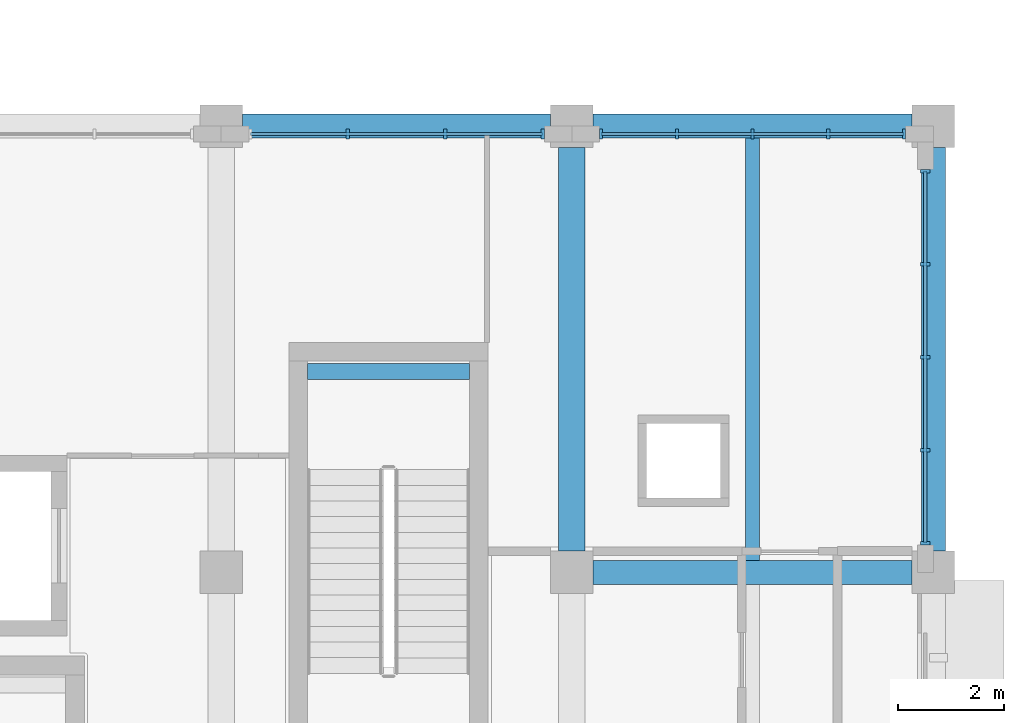
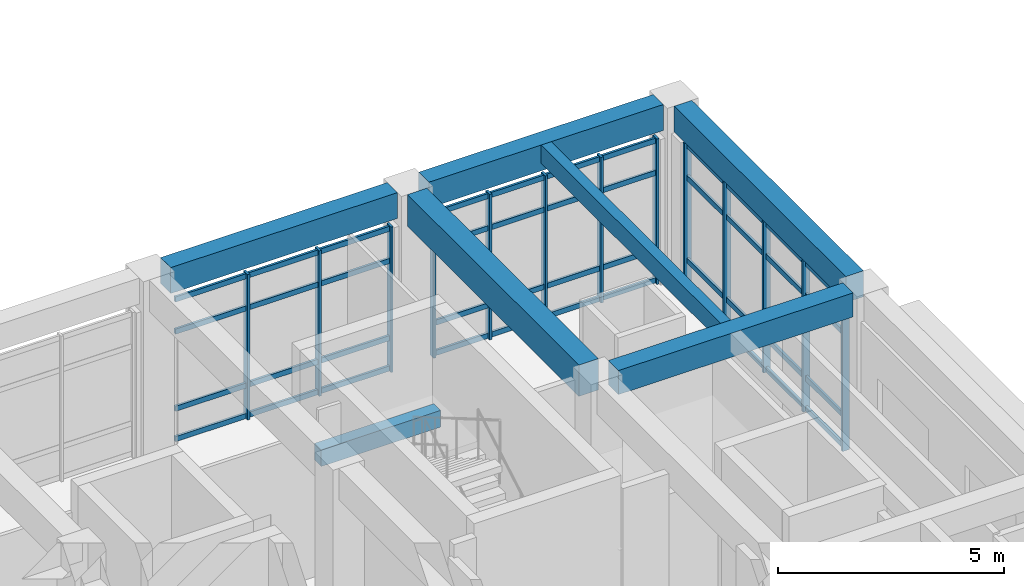
# One storey, part 31 of 79: 25 members, 7 beams, 3 elements without a shape of their own.
"""IFC4 building model written with IfcOpenShell, lengths in metres."""

from ifc_helpers import new_model, si_unit, direction, frame, origin, origin_2d, place, context, subcontext, project, spatial, rectangle, extrude, material, layer, layer_set, material_profile, profile_set, type_object, element, aggregate, save


model = new_model("IFC4")

# Units and contexts
model_context = context("Model", 3, precision=1e-05, world=origin(), true_north=direction((0.0, 1.0)))
body_context = subcontext(model_context, "Body", "Model", "MODEL_VIEW")
ifc_project = project(units=[si_unit("LENGTHUNIT", "METRE"), si_unit("AREAUNIT", "SQUARE_METRE"), si_unit("VOLUMEUNIT", "CUBIC_METRE"), si_unit("PLANEANGLEUNIT", "RADIAN"), si_unit("MASSUNIT", "GRAM", prefix="KILO")], contexts=[model_context])

# Site, building, storey
site_placement = place(None, origin())
site = spatial("IfcSite", under=ifc_project, at=site_placement, CompositionType="ELEMENT")
building_placement = place(site_placement, origin())
building = spatial("IfcBuilding", under=site, at=building_placement, Name="Kolvaren Faculty of Natural Sciences", CompositionType="ELEMENT")
storey_placement = place(building_placement, frame((0.0, 0.0, 10.199951171875)))
storey = spatial("IfcBuildingStorey", under=building, at=storey_placement, Name="L02", CompositionType="ELEMENT", Elevation=10.199951171875)

# Beam
ifc_material_1 = material(Name="Concrete C40/50", Category="concrete")
ifc_material_profile_1 = material_profile(ifc_material_1, rectangle(XDim=0.300048828125, YDim=0.449951171875, at=origin_2d()), Name="RC LNT 300x450")
ifc_profile_set_1 = profile_set([ifc_material_profile_1], Name="Concrete C40/50")
beam_type_1 = type_object("IfcBeamType", Name="CoreCouplingLintel_300x450", PredefinedType="LINTEL", material=ifc_profile_set_1)
beam_1_placement = place(storey_placement, frame((160.22509765625, 79.580078125, 1.97509765625), z_axis=(1.0, 0.0, 0.0), x_axis=(0.0, 1.0, 0.0)))
element("IfcBeam", 1, at=beam_1_placement, inside=storey, type_object=beam_type_1, Name="L02 ST-1 half-landing support lintel", PredefinedType="LINTEL", context=body_context, shape_type="SweptSolid", body=[
    extrude(rectangle(XDim=0.300048828125, YDim=0.449951171875, at=origin_2d()), origin(), (0.0, 0.0, 1.0), 3.0498046875),
])

# Curtain wall, members
ifc_material_2 = material(Name="Thermally broken anodised aluminium framing", Category="aluminium")
ifc_layer = layer(ifc_material_2, 0.179931640625)
ifc_layer_set = layer_set([ifc_layer], Name="Thermally broken anodised aluminium framing")
curtain_wall_type = type_object("IfcCurtainWallType", Name="TowerNorthCurtainWall_CW03", PredefinedType="NOTDEFINED", material=ifc_layer_set)
curtain_wall_1_placement = place(storey_placement, origin())
curtain_wall_1 = element("IfcCurtainWall", 2, at=curtain_wall_1_placement, inside=storey, type_object=curtain_wall_type, Name="L02 unitised curtain wall CW-03 (CW-L02-100)", PredefinedType="NOTDEFINED")
ifc_material_profile_2 = material_profile(ifc_material_2, rectangle(XDim=0.06005859375, YDim=0.179931640625, at=origin_2d()), Name="ALU MUL 60x180")
ifc_profile_set_2 = profile_set([ifc_material_profile_2], Name="Thermally broken anodised aluminium framing")
member_type_1 = type_object("IfcMemberType", Name="CurtainMullion_60x180", PredefinedType="MULLION", material=ifc_profile_set_2)
member_1_placement = place(storey_placement, frame((160.9833984375, 84.050048828125, 0.0), z_axis=(0.0, 0.0, 1.0), x_axis=(1.0, 0.0, 0.0)))
member_1 = element("IfcMember", 3, at=member_1_placement, type_object=member_type_1, Name="CW-L02-100 vertical mullion 2", PredefinedType="MULLION", context=body_context, shape_type="SweptSolid", body=[
    extrude(rectangle(XDim=0.06005859375, YDim=0.179931640625, at=origin_2d()), origin(), (0.0, 0.0, 1.0), 3.93505859375),
])
member_2_placement = place(storey_placement, frame((162.816650390625, 84.050048828125, 0.0), z_axis=(0.0, 0.0, 1.0), x_axis=(1.0, 0.0, 0.0)))
member_2 = element("IfcMember", 4, at=member_2_placement, type_object=member_type_1, Name="CW-L02-100 vertical mullion 3", PredefinedType="MULLION", context=body_context, shape_type="SweptSolid", body=[
    extrude(rectangle(XDim=0.06005859375, YDim=0.179931640625, at=origin_2d()), origin(), (0.0, 0.0, 1.0), 3.93505859375),
])
member_3_placement = place(storey_placement, frame((164.64990234375, 84.050048828125, 0.0), z_axis=(0.0, 0.0, 1.0), x_axis=(1.0, 0.0, 0.0)))
member_3 = element("IfcMember", 5, at=member_3_placement, type_object=member_type_1, Name="CW-L02-100 vertical mullion 4", PredefinedType="MULLION", context=body_context, shape_type="SweptSolid", body=[
    extrude(rectangle(XDim=0.06005859375, YDim=0.179931640625, at=origin_2d()), origin(), (0.0, 0.0, 1.0), 3.93505859375),
])

curtain_wall_2_placement = place(storey_placement, origin())
curtain_wall_2 = element("IfcCurtainWall", 6, at=curtain_wall_2_placement, inside=storey, type_object=curtain_wall_type, Name="L02 unitised curtain wall CW-03 (CW-L02-101)", PredefinedType="NOTDEFINED")
member_4_placement = place(storey_placement, frame((165.75, 84.050048828125, 0.0), z_axis=(0.0, 0.0, 1.0), x_axis=(1.0, 0.0, 0.0)))
member_4 = element("IfcMember", 7, at=member_4_placement, type_object=member_type_1, Name="CW-L02-101 vertical mullion 1", PredefinedType="MULLION", context=body_context, shape_type="SweptSolid", body=[
    extrude(rectangle(XDim=0.06005859375, YDim=0.179931640625, at=origin_2d()), origin(), (0.0, 0.0, 1.0), 3.93505859375),
])
member_5_placement = place(storey_placement, frame((167.175048828125, 84.050048828125, 0.0), z_axis=(0.0, 0.0, 1.0), x_axis=(1.0, 0.0, 0.0)))
member_5 = element("IfcMember", 8, at=member_5_placement, type_object=member_type_1, Name="CW-L02-101 vertical mullion 2", PredefinedType="MULLION", context=body_context, shape_type="SweptSolid", body=[
    extrude(rectangle(XDim=0.06005859375, YDim=0.179931640625, at=origin_2d()), origin(), (0.0, 0.0, 1.0), 3.93505859375),
])
member_6_placement = place(storey_placement, frame((168.60009765625, 84.050048828125, 0.0), z_axis=(0.0, 0.0, 1.0), x_axis=(1.0, 0.0, 0.0)))
member_6 = element("IfcMember", 9, at=member_6_placement, type_object=member_type_1, Name="CW-L02-101 vertical mullion 3", PredefinedType="MULLION", context=body_context, shape_type="SweptSolid", body=[
    extrude(rectangle(XDim=0.06005859375, YDim=0.179931640625, at=origin_2d()), origin(), (0.0, 0.0, 1.0), 3.93505859375),
])
member_7_placement = place(storey_placement, frame((170.02490234375, 84.050048828125, 0.0), z_axis=(0.0, 0.0, 1.0), x_axis=(1.0, 0.0, 0.0)))
member_7 = element("IfcMember", 10, at=member_7_placement, type_object=member_type_1, Name="CW-L02-101 vertical mullion 4", PredefinedType="MULLION", context=body_context, shape_type="SweptSolid", body=[
    extrude(rectangle(XDim=0.06005859375, YDim=0.179931640625, at=origin_2d()), origin(), (0.0, 0.0, 1.0), 3.93505859375),
])
member_8_placement = place(storey_placement, frame((171.449951171875, 84.050048828125, 0.0), z_axis=(0.0, 0.0, 1.0), x_axis=(1.0, 0.0, 0.0)))
member_8 = element("IfcMember", 11, at=member_8_placement, type_object=member_type_1, Name="CW-L02-101 vertical mullion 5", PredefinedType="MULLION", context=body_context, shape_type="SweptSolid", body=[
    extrude(rectangle(XDim=0.06005859375, YDim=0.179931640625, at=origin_2d()), origin(), (0.0, 0.0, 1.0), 3.93505859375),
])

curtain_wall_3_placement = place(storey_placement, origin())
curtain_wall_3 = element("IfcCurtainWall", 12, at=curtain_wall_3_placement, inside=storey, type_object=curtain_wall_type, Name="L02 unitised curtain wall CW-03 (CW-L02-102)", PredefinedType="NOTDEFINED")
member_9_placement = place(storey_placement, frame((171.85009765625, 83.35009765625, 0.0), z_axis=(0.0, 0.0, 1.0), x_axis=(0.0, -1.0, 0.0)))
member_9 = element("IfcMember", 13, at=member_9_placement, type_object=member_type_1, Name="CW-L02-102 vertical mullion 1", PredefinedType="MULLION", context=body_context, shape_type="SweptSolid", body=[
    extrude(rectangle(XDim=0.06005859375, YDim=0.179931640625, at=origin_2d()), origin(), (0.0, 0.0, 1.0), 4.0849609375),
])
member_10_placement = place(storey_placement, frame((171.85009765625, 81.60009765625, 0.0), z_axis=(0.0, 0.0, 1.0), x_axis=(0.0, -1.0, 0.0)))
member_10 = element("IfcMember", 14, at=member_10_placement, type_object=member_type_1, Name="CW-L02-102 vertical mullion 2", PredefinedType="MULLION", context=body_context, shape_type="SweptSolid", body=[
    extrude(rectangle(XDim=0.06005859375, YDim=0.179931640625, at=origin_2d()), origin(), (0.0, 0.0, 1.0), 4.0849609375),
])
member_11_placement = place(storey_placement, frame((171.85009765625, 79.85009765625, 0.0), z_axis=(0.0, 0.0, 1.0), x_axis=(0.0, -1.0, 0.0)))
member_11 = element("IfcMember", 15, at=member_11_placement, type_object=member_type_1, Name="CW-L02-102 vertical mullion 3", PredefinedType="MULLION", context=body_context, shape_type="SweptSolid", body=[
    extrude(rectangle(XDim=0.06005859375, YDim=0.179931640625, at=origin_2d()), origin(), (0.0, 0.0, 1.0), 4.0849609375),
])
member_12_placement = place(storey_placement, frame((171.85009765625, 78.10009765625, 0.0), z_axis=(0.0, 0.0, 1.0), x_axis=(0.0, -1.0, 0.0)))
member_12 = element("IfcMember", 16, at=member_12_placement, type_object=member_type_1, Name="CW-L02-102 vertical mullion 4", PredefinedType="MULLION", context=body_context, shape_type="SweptSolid", body=[
    extrude(rectangle(XDim=0.06005859375, YDim=0.179931640625, at=origin_2d()), origin(), (0.0, 0.0, 1.0), 4.0849609375),
])
member_13_placement = place(storey_placement, frame((171.85009765625, 76.35009765625, 0.0), z_axis=(0.0, 0.0, 1.0), x_axis=(0.0, -1.0, 0.0)))
member_13 = element("IfcMember", 17, at=member_13_placement, type_object=member_type_1, Name="CW-L02-102 vertical mullion 5", PredefinedType="MULLION", context=body_context, shape_type="SweptSolid", body=[
    extrude(rectangle(XDim=0.06005859375, YDim=0.179931640625, at=origin_2d()), origin(), (0.0, 0.0, 1.0), 4.0849609375),
])

# Member
ifc_material_profile_3 = material_profile(ifc_material_2, rectangle(XDim=0.06005859375, YDim=0.139892578125, at=origin_2d()), Name="ALU TRN 60x140")
ifc_profile_set_3 = profile_set([ifc_material_profile_3], Name="Thermally broken anodised aluminium framing")
member_type_2 = type_object("IfcMemberType", Name="CurtainTransom_60x140", PredefinedType="USERDEFINED", material=ifc_profile_set_3)
member_14_placement = place(storey_placement, frame((159.14990234375, 84.050048828125, 0.080078125), z_axis=(1.0, 0.0, 0.0), x_axis=(0.0, 1.0, 0.0)))
member_14 = element("IfcMember", 18, at=member_14_placement, type_object=member_type_2, Name="CW-L02-100 horizontal transom 1", ObjectType="TRANSOM", PredefinedType="USERDEFINED", context=body_context, shape_type="SweptSolid", body=[
    extrude(rectangle(XDim=0.06005859375, YDim=0.139892578125, at=origin_2d()), origin(), (0.0, 0.0, 1.0), 5.5),
])

member_15_placement = place(storey_placement, frame((159.14990234375, 84.050048828125, 0.900146484375), z_axis=(1.0, 0.0, 0.0), x_axis=(0.0, 1.0, 0.0)))
member_15 = element("IfcMember", 19, at=member_15_placement, type_object=member_type_2, Name="CW-L02-100 horizontal transom 2", ObjectType="TRANSOM", PredefinedType="USERDEFINED", context=body_context, shape_type="SweptSolid", body=[
    extrude(rectangle(XDim=0.06005859375, YDim=0.139892578125, at=origin_2d()), origin(), (0.0, 0.0, 1.0), 5.5),
])

member_16_placement = place(storey_placement, frame((159.14990234375, 84.050048828125, 2.985107421875), z_axis=(1.0, 0.0, 0.0), x_axis=(0.0, 1.0, 0.0)))
member_16 = element("IfcMember", 20, at=member_16_placement, type_object=member_type_2, Name="CW-L02-100 horizontal transom 3", ObjectType="TRANSOM", PredefinedType="USERDEFINED", context=body_context, shape_type="SweptSolid", body=[
    extrude(rectangle(XDim=0.06005859375, YDim=0.139892578125, at=origin_2d()), origin(), (0.0, 0.0, 1.0), 5.5),
])

member_17_placement = place(storey_placement, frame((159.14990234375, 84.050048828125, 3.85498046875), z_axis=(1.0, 0.0, 0.0), x_axis=(0.0, 1.0, 0.0)))
member_17 = element("IfcMember", 21, at=member_17_placement, type_object=member_type_2, Name="CW-L02-100 horizontal transom 4", ObjectType="TRANSOM", PredefinedType="USERDEFINED", context=body_context, shape_type="SweptSolid", body=[
    extrude(rectangle(XDim=0.06005859375, YDim=0.139892578125, at=origin_2d()), origin(), (0.0, 0.0, 1.0), 5.5),
])

aggregate(curtain_wall_1, [member_1, member_2, member_3, member_14, member_15, member_16, member_17])

member_18_placement = place(storey_placement, frame((165.75, 84.050048828125, 0.080078125), z_axis=(1.0, 0.0, 0.0), x_axis=(0.0, 1.0, 0.0)))
member_18 = element("IfcMember", 22, at=member_18_placement, type_object=member_type_2, Name="CW-L02-101 horizontal transom 1", ObjectType="TRANSOM", PredefinedType="USERDEFINED", context=body_context, shape_type="SweptSolid", body=[
    extrude(rectangle(XDim=0.06005859375, YDim=0.139892578125, at=origin_2d()), origin(), (0.0, 0.0, 1.0), 5.699951171875),
])

member_19_placement = place(storey_placement, frame((165.75, 84.050048828125, 0.900146484375), z_axis=(1.0, 0.0, 0.0), x_axis=(0.0, 1.0, 0.0)))
member_19 = element("IfcMember", 23, at=member_19_placement, type_object=member_type_2, Name="CW-L02-101 horizontal transom 2", ObjectType="TRANSOM", PredefinedType="USERDEFINED", context=body_context, shape_type="SweptSolid", body=[
    extrude(rectangle(XDim=0.06005859375, YDim=0.139892578125, at=origin_2d()), origin(), (0.0, 0.0, 1.0), 5.699951171875),
])

member_20_placement = place(storey_placement, frame((165.75, 84.050048828125, 2.985107421875), z_axis=(1.0, 0.0, 0.0), x_axis=(0.0, 1.0, 0.0)))
member_20 = element("IfcMember", 24, at=member_20_placement, type_object=member_type_2, Name="CW-L02-101 horizontal transom 3", ObjectType="TRANSOM", PredefinedType="USERDEFINED", context=body_context, shape_type="SweptSolid", body=[
    extrude(rectangle(XDim=0.06005859375, YDim=0.139892578125, at=origin_2d()), origin(), (0.0, 0.0, 1.0), 5.699951171875),
])

member_21_placement = place(storey_placement, frame((165.75, 84.050048828125, 3.85498046875), z_axis=(1.0, 0.0, 0.0), x_axis=(0.0, 1.0, 0.0)))
member_21 = element("IfcMember", 25, at=member_21_placement, type_object=member_type_2, Name="CW-L02-101 horizontal transom 4", ObjectType="TRANSOM", PredefinedType="USERDEFINED", context=body_context, shape_type="SweptSolid", body=[
    extrude(rectangle(XDim=0.06005859375, YDim=0.139892578125, at=origin_2d()), origin(), (0.0, 0.0, 1.0), 5.699951171875),
])

aggregate(curtain_wall_2, [member_4, member_5, member_6, member_7, member_8, member_18, member_19, member_20, member_21])

member_22_placement = place(storey_placement, frame((171.85009765625, 83.35009765625, 0.080078125), z_axis=(0.0, -1.0, 0.0), x_axis=(1.0, 0.0, 0.0)))
member_22 = element("IfcMember", 26, at=member_22_placement, type_object=member_type_2, Name="CW-L02-102 horizontal transom 1", ObjectType="TRANSOM", PredefinedType="USERDEFINED", context=body_context, shape_type="SweptSolid", body=[
    extrude(rectangle(XDim=0.06005859375, YDim=0.139892578125, at=origin_2d()), origin(), (0.0, 0.0, 1.0), 7.0),
])

member_23_placement = place(storey_placement, frame((171.85009765625, 83.35009765625, 0.900146484375), z_axis=(0.0, -1.0, 0.0), x_axis=(1.0, 0.0, 0.0)))
member_23 = element("IfcMember", 27, at=member_23_placement, type_object=member_type_2, Name="CW-L02-102 horizontal transom 2", ObjectType="TRANSOM", PredefinedType="USERDEFINED", context=body_context, shape_type="SweptSolid", body=[
    extrude(rectangle(XDim=0.06005859375, YDim=0.139892578125, at=origin_2d()), origin(), (0.0, 0.0, 1.0), 7.0),
])

member_24_placement = place(storey_placement, frame((171.85009765625, 83.35009765625, 3.135009765625), z_axis=(0.0, -1.0, 0.0), x_axis=(1.0, 0.0, 0.0)))
member_24 = element("IfcMember", 28, at=member_24_placement, type_object=member_type_2, Name="CW-L02-102 horizontal transom 3", ObjectType="TRANSOM", PredefinedType="USERDEFINED", context=body_context, shape_type="SweptSolid", body=[
    extrude(rectangle(XDim=0.06005859375, YDim=0.139892578125, at=origin_2d()), origin(), (0.0, 0.0, 1.0), 7.0),
])

member_25_placement = place(storey_placement, frame((171.85009765625, 83.35009765625, 4.005126953125), z_axis=(0.0, -1.0, 0.0), x_axis=(1.0, 0.0, 0.0)))
member_25 = element("IfcMember", 29, at=member_25_placement, type_object=member_type_2, Name="CW-L02-102 horizontal transom 4", ObjectType="TRANSOM", PredefinedType="USERDEFINED", context=body_context, shape_type="SweptSolid", body=[
    extrude(rectangle(XDim=0.06005859375, YDim=0.139892578125, at=origin_2d()), origin(), (0.0, 0.0, 1.0), 7.0),
])

aggregate(curtain_wall_3, [member_9, member_10, member_11, member_12, member_13, member_22, member_23, member_24, member_25])

# Beams
ifc_material_3 = material(Name="Concrete C35/45", Category="concrete")
ifc_material_profile_4 = material_profile(ifc_material_3, rectangle(XDim=0.449951171875, YDim=0.64990234375, at=origin_2d()), Name="RC BM 450x650")
ifc_profile_set_4 = profile_set([ifc_material_profile_4], Name="Concrete C35/45")
beam_type_2 = type_object("IfcBeamType", Name="GridBeam_450x650", PredefinedType="BEAM", material=ifc_profile_set_4)
beam_2_placement = place(storey_placement, frame((165.60009765625, 75.800048828125, 4.47509765625), z_axis=(1.0, 0.0, 0.0), x_axis=(0.0, 1.0, 0.0)))
element("IfcBeam", 30, at=beam_2_placement, inside=storey, type_object=beam_type_2, Name="L02 beam BM-65 on grid K", PredefinedType="BEAM", context=body_context, shape_type="SweptSolid", body=[
    extrude(rectangle(XDim=0.449951171875, YDim=0.64990234375, at=origin_2d()), origin(), (0.0, 0.0, 1.0), 6.0),
])
ifc_material_profile_5 = material_profile(ifc_material_3, rectangle(XDim=0.260009765625, YDim=0.5, at=origin_2d()), Name="RC JST 260x500")
ifc_profile_set_5 = profile_set([ifc_material_profile_5], Name="Concrete C35/45")
beam_type_3 = type_object("IfcBeamType", Name="LabRibJoist_260x500", PredefinedType="JOIST", material=ifc_profile_set_5)
beam_3_placement = place(storey_placement, frame((168.60009765625, 76.02490234375, 4.550048828125), z_axis=(0.0, 1.0, 0.0), x_axis=(-1.0, 0.0, 0.0)))
element("IfcBeam", 31, at=beam_3_placement, inside=storey, type_object=beam_type_3, Name="L02 ribbed laboratory slab joist JS-50", PredefinedType="JOIST", context=body_context, shape_type="SweptSolid", body=[
    extrude(rectangle(XDim=0.260009765625, YDim=0.5, at=origin_2d()), origin(), (0.0, 0.0, 1.0), 7.9501953125),
])
ifc_material_profile_6 = material_profile(ifc_material_3, rectangle(XDim=0.449951171875, YDim=0.699951171875, at=origin_2d()), Name="RC SP 450x700")
ifc_profile_set_6 = profile_set([ifc_material_profile_6], Name="Concrete C35/45")
beam_type_4 = type_object("IfcBeamType", Name="PerimeterSpandrel_450x700", PredefinedType="SPANDREL", material=ifc_profile_set_6)
beam_4_placement = place(storey_placement, frame((159.0, 84.199951171875, 4.449951171875), z_axis=(1.0, 0.0, 0.0), x_axis=(0.0, 1.0, 0.0)))
element("IfcBeam", 32, at=beam_4_placement, inside=storey, type_object=beam_type_4, Name="L02 spandrel SP-70 on grid L", PredefinedType="SPANDREL", context=body_context, shape_type="SweptSolid", body=[
    extrude(rectangle(XDim=0.449951171875, YDim=0.699951171875, at=origin_2d()), origin(), (0.0, 0.0, 1.0), 5.800048828125),
])
beam_5_placement = place(storey_placement, frame((165.60009765625, 84.199951171875, 4.449951171875), z_axis=(1.0, 0.0, 0.0), x_axis=(0.0, 1.0, 0.0)))
element("IfcBeam", 33, at=beam_5_placement, inside=storey, type_object=beam_type_4, Name="L02 spandrel SP-70 on grid L", PredefinedType="SPANDREL", context=body_context, shape_type="SweptSolid", body=[
    extrude(rectangle(XDim=0.449951171875, YDim=0.699951171875, at=origin_2d()), origin(), (0.0, 0.0, 1.0), 6.0),
])
beam_6_placement = place(storey_placement, frame((172.0, 76.199951171875, 4.449951171875), z_axis=(0.0, 1.0, 0.0), x_axis=(-1.0, 0.0, 0.0)))
element("IfcBeam", 34, at=beam_6_placement, inside=storey, type_object=beam_type_4, Name="L02 girder SP-70 on grid 27", PredefinedType="SPANDREL", context=body_context, shape_type="SweptSolid", body=[
    extrude(rectangle(XDim=0.449951171875, YDim=0.699951171875, at=origin_2d()), origin(), (0.0, 0.0, 1.0), 7.60009765625),
])
ifc_material_profile_7 = material_profile(ifc_material_3, rectangle(XDim=0.5, YDim=0.85009765625, at=origin_2d()), Name="RC BM 500x850")
ifc_profile_set_7 = profile_set([ifc_material_profile_7], Name="Concrete C35/45")
beam_type_5 = type_object("IfcBeamType", Name="PrimaryGirder_500x850", PredefinedType="BEAM", material=ifc_profile_set_7)
beam_7_placement = place(storey_placement, frame((165.199951171875, 76.199951171875, 4.375), z_axis=(0.0, 1.0, 0.0), x_axis=(-1.0, 0.0, 0.0)))
element("IfcBeam", 35, at=beam_7_placement, inside=storey, type_object=beam_type_5, Name="L02 girder BG-85 on grid 26", PredefinedType="BEAM", context=body_context, shape_type="SweptSolid", body=[
    extrude(rectangle(XDim=0.5, YDim=0.85009765625, at=origin_2d()), origin(), (0.0, 0.0, 1.0), 7.60009765625),
])

save(model, "model.ifc")
